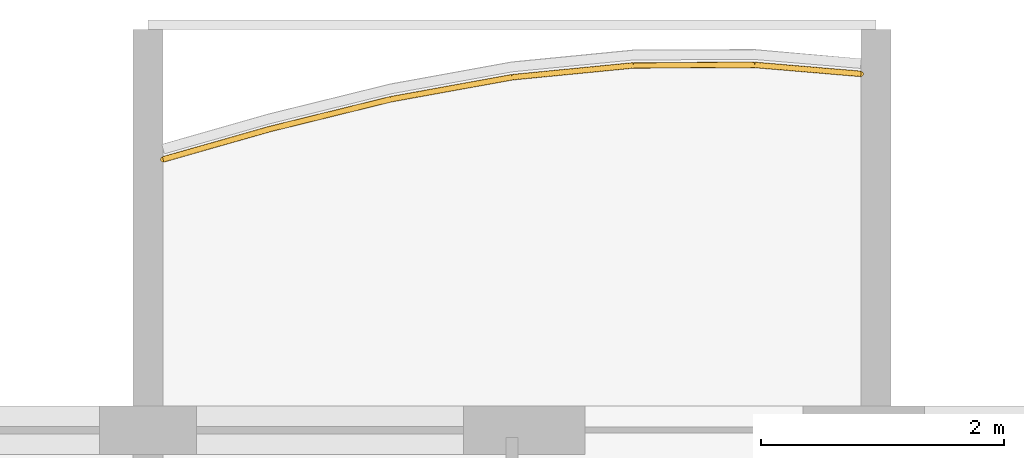
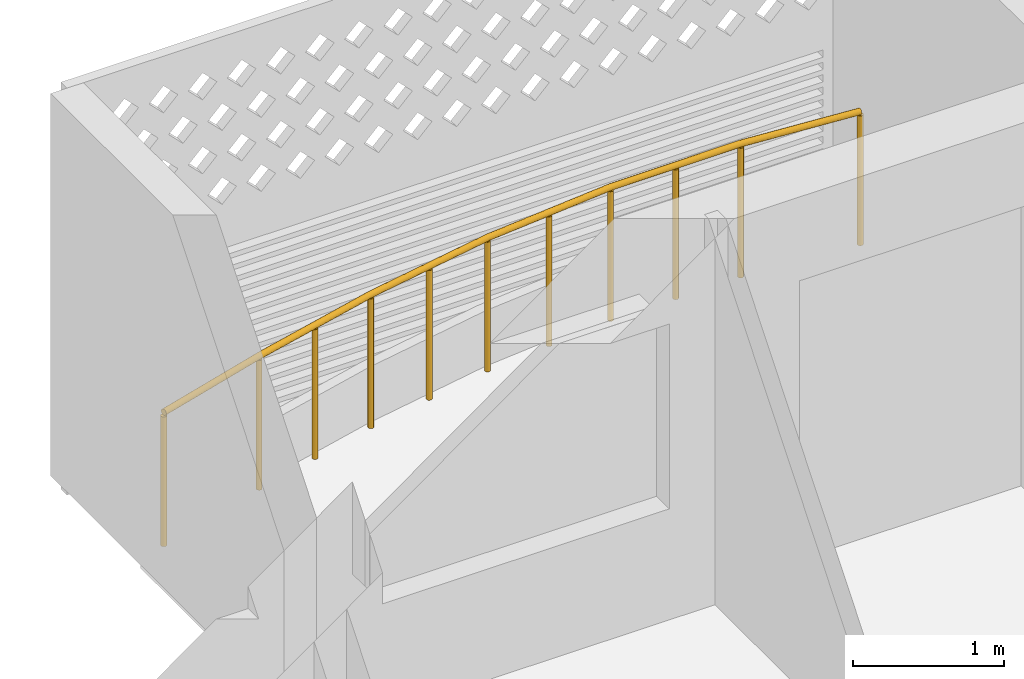
# One storey, part 19 of 26: 1 railing.
"""IFC4 building model written with IfcOpenShell, lengths in metres."""

from ifc_helpers import new_model, si_unit, direction, frame, origin, origin_2d, place, context, subcontext, project, spatial, circle, extrude, material, type_object, element, save


model = new_model("IFC4")

# Units and contexts
model_context = context("Model", 3, precision=1e-05, world=origin(), true_north=direction((0.0, 1.0)))
body_context = subcontext(model_context, "Body", "Model", "MODEL_VIEW")
ifc_project = project(units=[si_unit("LENGTHUNIT", "METRE"), si_unit("AREAUNIT", "SQUARE_METRE"), si_unit("VOLUMEUNIT", "CUBIC_METRE"), si_unit("PLANEANGLEUNIT", "RADIAN"), si_unit("MASSUNIT", "GRAM", prefix="KILO")], contexts=[model_context])

# Site, building, storey
site_placement = place(None, origin())
site = spatial("IfcSite", under=ifc_project, at=site_placement, CompositionType="ELEMENT")
building_placement = place(site_placement, origin())
building = spatial("IfcBuilding", under=site, at=building_placement, Name="Poui Terraces", CompositionType="ELEMENT")
storey_placement = place(building_placement, frame((0.0, 0.0, 247.800048828125)))
storey = spatial("IfcBuildingStorey", under=building, at=storey_placement, Name="L69", CompositionType="ELEMENT", Elevation=247.800048828125)

# Railing
ifc_material = material(Name="Painted steel fretwork", Category="steel")
railing_type = type_object("IfcRailingType", Name="BALCONY GUARD 1100", PredefinedType="GUARDRAIL", material=ifc_material)
railing_placement = place(storey_placement, frame((48.125, 43.43115234375, 0.0)))
element("IfcRailing", 1, at=railing_placement, inside=storey, type_object=railing_type, Name="BALCONY GUARD", PredefinedType="GUARDRAIL", context=body_context, shape_type="SweptSolid", body=[
    extrude(circle(Radius=0.02392578125, at=origin_2d()), frame((0.0, 0.0, 1.076171875), z_axis=(0.961736307653, 0.273976777376, 0.0), x_axis=(-0.273976777376, 0.961736307653, 0.0)), (0.0, 0.0, 1.0), 0.909912109375),
    extrude(circle(Radius=0.02392578125, at=origin_2d()), frame((0.875, 0.249267578125, 1.076171875), z_axis=(0.970973389115, 0.239187536528, 0.0), x_axis=(-0.239187536528, 0.970973389115, 0.0)), (0.0, 0.0, 1.0), 1.02978515625),
    extrude(circle(Radius=0.02392578125, at=origin_2d()), frame((1.875, 0.49560546875, 1.076171875), z_axis=(0.983942855126, 0.178483774746, 0.0), x_axis=(-0.178483774746, 0.983942855126, 0.0)), (0.0, 0.0, 1.0), 1.016357421875),
    extrude(circle(Radius=0.02392578125, at=origin_2d()), frame((2.875, 0.677001953125, 1.076171875), z_axis=(0.995265465661, 0.097193893131, 0.0), x_axis=(-0.097193893131, 0.995265465661, 0.0)), (0.0, 0.0, 1.0), 1.004638671875),
    extrude(circle(Radius=0.02392578125, at=origin_2d()), frame((3.875, 0.774658203125, 1.076171875), z_axis=(0.99999138724, 0.004150354879, 0.0), x_axis=(-0.004150354879, 0.99999138724, 0.0)), (0.0, 0.0, 1.0), 1.0),
    extrude(circle(Radius=0.02392578125, at=origin_2d()), frame((4.875, 0.77880859375, 1.076171875), z_axis=(0.996445334102, -0.08424189069, 0.0), x_axis=(0.08424189069, 0.996445334102, 0.0)), (0.0, 0.0, 1.0), 0.878173828125),
    extrude(circle(Radius=0.02099609375, at=origin_2d()), origin(), (0.0, 0.0, 1.0), 1.052001953125),
    extrude(circle(Radius=0.02099609375, at=origin_2d()), frame((0.875, 0.249267578125, 0.0)), (0.0, 0.0, 1.0), 1.052001953125),
    extrude(circle(Radius=0.02099609375, at=origin_2d()), frame((1.375, 0.37255859375, 0.0)), (0.0, 0.0, 1.0), 1.052001953125),
    extrude(circle(Radius=0.02099609375, at=origin_2d()), frame((1.875, 0.49560546875, 0.0)), (0.0, 0.0, 1.0), 1.052001953125),
    extrude(circle(Radius=0.02099609375, at=origin_2d()), frame((2.375, 0.58642578125, 0.0)), (0.0, 0.0, 1.0), 1.052001953125),
    extrude(circle(Radius=0.02099609375, at=origin_2d()), frame((2.875, 0.677001953125, 0.0)), (0.0, 0.0, 1.0), 1.052001953125),
    extrude(circle(Radius=0.02099609375, at=origin_2d()), frame((3.375, 0.725830078125, 0.0)), (0.0, 0.0, 1.0), 1.052001953125),
    extrude(circle(Radius=0.02099609375, at=origin_2d()), frame((3.875, 0.774658203125, 0.0)), (0.0, 0.0, 1.0), 1.052001953125),
    extrude(circle(Radius=0.02099609375, at=origin_2d()), frame((4.375, 0.77685546875, 0.0)), (0.0, 0.0, 1.0), 1.052001953125),
    extrude(circle(Radius=0.02099609375, at=origin_2d()), frame((4.875, 0.77880859375, 0.0)), (0.0, 0.0, 1.0), 1.052001953125),
    extrude(circle(Radius=0.02099609375, at=origin_2d()), frame((5.75, 0.704833984375, 0.0)), (0.0, 0.0, 1.0), 1.052001953125),
])

save(model, "model.ifc")
